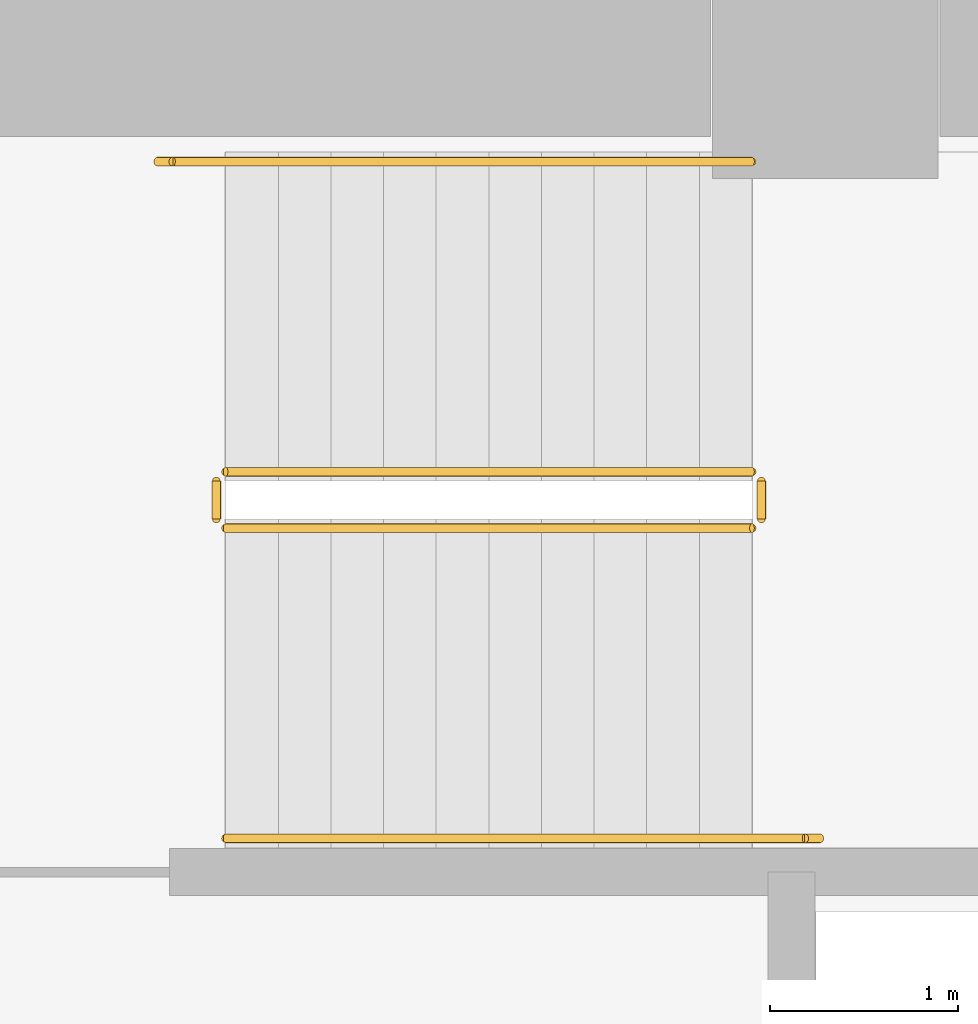
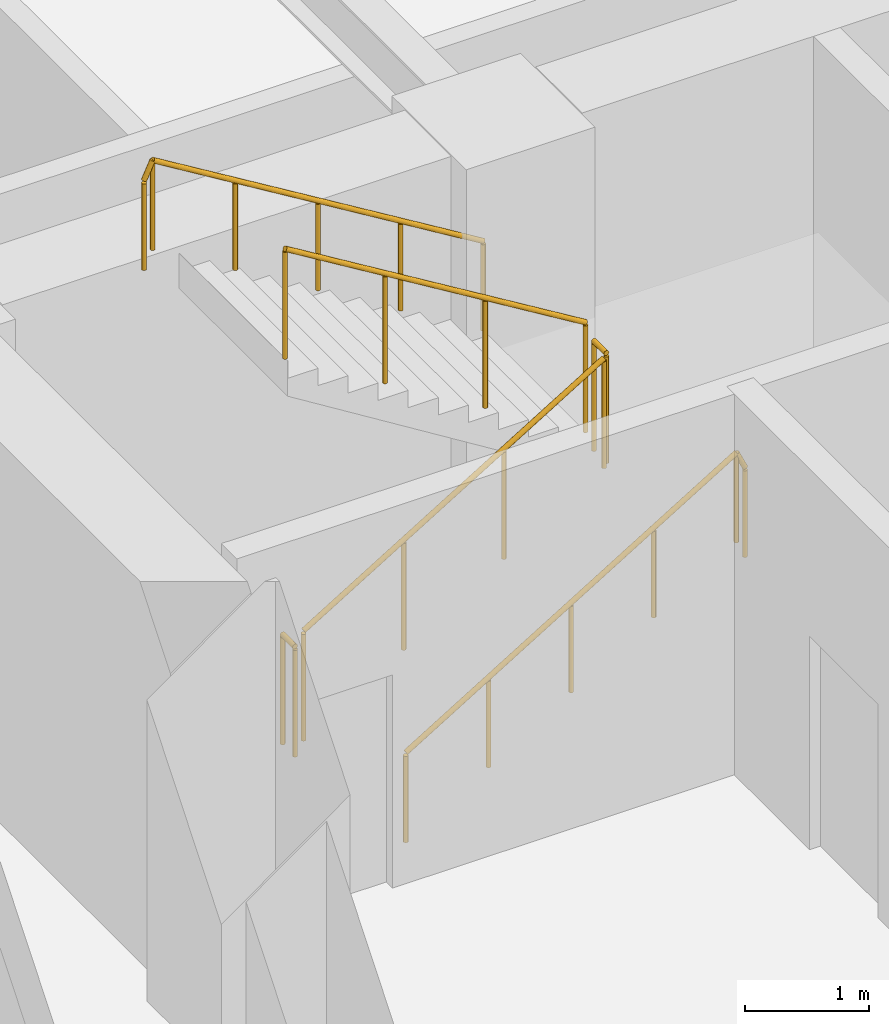
# One storey, part 26 of 27: 6 railings.
"""IFC4 building model written with IfcOpenShell, lengths in metres."""

from ifc_helpers import new_model, si_unit, direction, frame, origin, origin_2d, place, context, subcontext, project, spatial, circle, extrude, material, type_object, element, save


model = new_model("IFC4")

# Units and contexts
model_context = context("Model", 3, precision=1e-05, world=origin(), true_north=direction((0.0, 1.0)))
body_context = subcontext(model_context, "Body", "Model", "MODEL_VIEW")
ifc_project = project(units=[si_unit("LENGTHUNIT", "METRE"), si_unit("AREAUNIT", "SQUARE_METRE"), si_unit("VOLUMEUNIT", "CUBIC_METRE"), si_unit("PLANEANGLEUNIT", "RADIAN"), si_unit("MASSUNIT", "GRAM", prefix="KILO")], contexts=[model_context])

# Site, building, storey
site_placement = place(None, origin())
site = spatial("IfcSite", under=ifc_project, at=site_placement, CompositionType="ELEMENT")
building_placement = place(site_placement, origin())
building = spatial("IfcBuilding", under=site, at=building_placement, Name="Surkhivell Harbour Commons", CompositionType="ELEMENT")
storey_placement = place(building_placement, frame((0.0, 0.0, 22.5)))
storey = spatial("IfcBuildingStorey", under=building, at=storey_placement, Name="L05", CompositionType="ELEMENT", Elevation=22.5)

# Railings
ifc_material_1 = material(Name="Galvanised and painted steel S355 guard rail", Category="steel")
railing_type_1 = type_object("IfcRailingType", Name="RAL-ST-GRD1100", PredefinedType="GUARDRAIL", material=ifc_material_1)
railing_1_placement = place(storey_placement, frame((-8.590087890625, 8.340087890625, 0.17041015625)))
element("IfcRailing", 1, at=railing_1_placement, inside=storey, type_object=railing_type_1, Name="L05 ST1 stair guard 1", PredefinedType="GUARDRAIL", context=body_context, shape_type="SweptSolid", body=[
    extrude(circle(Radius=0.02392578125, at=origin_2d()), frame((0.0, 0.0, 1.076171875), z_axis=(0.854169791009, 0.0, 0.51999420009), x_axis=(0.0, 1.0, 0.0)), (0.0, 0.0, 1.0), 3.278076171875),
    extrude(circle(Radius=0.02099609375, at=origin_2d()), origin(), (0.0, 0.0, 1.0), 1.052001953125),
    extrude(circle(Radius=0.02099609375, at=origin_2d()), frame((0.933349609375, 0.0, 0.568115234375)), (0.0, 0.0, 1.0), 1.052001953125),
    extrude(circle(Radius=0.02099609375, at=origin_2d()), frame((1.86669921875, 0.0, 1.136474609375)), (0.0, 0.0, 1.0), 1.052001953125),
    extrude(circle(Radius=0.02099609375, at=origin_2d()), frame((2.800048828125, 0.0, 1.70458984375)), (0.0, 0.0, 1.0), 1.052001953125),
])
railing_2_placement = place(storey_placement, frame((-5.739990234375, 8.389892578125, 1.875)))
element("IfcRailing", 2, at=railing_2_placement, inside=storey, type_object=railing_type_1, Name="L05 ST1 stair guard 2", PredefinedType="GUARDRAIL", context=body_context, shape_type="SweptSolid", body=[
    extrude(circle(Radius=0.02392578125, at=origin_2d()), frame((0.0, 0.0, 1.076171875), z_axis=(0.0, 1.0, 0.0), x_axis=(-1.0, 0.0, 0.0)), (0.0, 0.0, 1.0), 0.2001953125),
    extrude(circle(Radius=0.02099609375, at=origin_2d()), origin(), (0.0, 0.0, 1.0), 1.052001953125),
    extrude(circle(Radius=0.02099609375, at=origin_2d()), frame((0.0, 0.2001953125, 0.0)), (0.0, 0.0, 1.0), 1.052001953125),
])
railing_3_placement = place(storey_placement, frame((-5.7900390625, 8.639892578125, 2.04541015625)))
element("IfcRailing", 3, at=railing_3_placement, inside=storey, type_object=railing_type_1, Name="L05 ST1 stair guard 3", PredefinedType="GUARDRAIL", context=body_context, shape_type="SweptSolid", body=[
    extrude(circle(Radius=0.02392578125, at=origin_2d()), frame((0.0, 0.0, 1.076171875), z_axis=(-0.854169791009, 0.0, 0.51999420009), x_axis=(0.0, -1.0, 0.0)), (0.0, 0.0, 1.0), 3.278076171875),
    extrude(circle(Radius=0.02099609375, at=origin_2d()), origin(), (0.0, 0.0, 1.0), 1.052001953125),
    extrude(circle(Radius=0.02099609375, at=origin_2d()), frame((-0.933349609375, 0.0, 0.568115234375)), (0.0, 0.0, 1.0), 1.052001953125),
    extrude(circle(Radius=0.02099609375, at=origin_2d()), frame((-1.86669921875, 0.0, 1.136474609375)), (0.0, 0.0, 1.0), 1.052001953125),
    extrude(circle(Radius=0.02099609375, at=origin_2d()), frame((-2.800048828125, 0.0, 1.70458984375)), (0.0, 0.0, 1.0), 1.052001953125),
])
railing_4_placement = place(storey_placement, frame((-8.639892578125, 8.389892578125, 0.0)))
element("IfcRailing", 4, at=railing_4_placement, inside=storey, type_object=railing_type_1, Name="L05 ST1 stair guard 4", PredefinedType="GUARDRAIL", context=body_context, shape_type="SweptSolid", body=[
    extrude(circle(Radius=0.02392578125, at=origin_2d()), frame((0.0, 0.0, 1.076171875), z_axis=(0.0, 1.0, 0.0), x_axis=(-1.0, 0.0, 0.0)), (0.0, 0.0, 1.0), 0.2001953125),
    extrude(circle(Radius=0.02099609375, at=origin_2d()), origin(), (0.0, 0.0, 1.0), 1.052001953125),
    extrude(circle(Radius=0.02099609375, at=origin_2d()), frame((0.0, 0.2001953125, 0.0)), (0.0, 0.0, 1.0), 1.052001953125),
])
ifc_material_2 = material(Name="Brushed stainless steel S355 handrail", Category="steel")
railing_type_2 = type_object("IfcRailingType", Name="RAL-ST-HND900", PredefinedType="HANDRAIL", material=ifc_material_2)
railing_5_placement = place(storey_placement, frame((-8.590087890625, 6.68994140625, 0.17041015625)))
element("IfcRailing", 5, at=railing_5_placement, inside=storey, type_object=railing_type_2, Name="L05 ST1 stair handrail 1", PredefinedType="HANDRAIL", context=body_context, shape_type="SweptSolid", body=[
    extrude(circle(Radius=0.02392578125, at=origin_2d()), frame((0.0, 0.0, 0.8759765625), z_axis=(0.854177636135, 0.0, 0.519981313056), x_axis=(0.0, 1.0, 0.0)), (0.0, 0.0, 1.0), 3.60595703125),
    extrude(circle(Radius=0.02392578125, at=origin_2d()), frame((3.080078125, 0.0, 2.7509765625), z_axis=(0.425297416671, 0.0, -0.905053648892), x_axis=(0.0, 1.0, 0.0)), (0.0, 0.0, 1.0), 0.188232421875),
    extrude(circle(Radius=0.02099609375, at=origin_2d()), origin(), (0.0, 0.0, 1.0), 0.851806640625),
    extrude(circle(Radius=0.02099609375, at=origin_2d()), frame((0.77001953125, 0.0, 0.46875)), (0.0, 0.0, 1.0), 0.851806640625),
    extrude(circle(Radius=0.02099609375, at=origin_2d()), frame((1.5400390625, 0.0, 0.9375)), (0.0, 0.0, 1.0), 0.851806640625),
    extrude(circle(Radius=0.02099609375, at=origin_2d()), frame((2.31005859375, 0.0, 1.40625)), (0.0, 0.0, 1.0), 0.851806640625),
    extrude(circle(Radius=0.02099609375, at=origin_2d()), frame((3.080078125, 0.0, 1.875)), (0.0, 0.0, 1.0), 0.851806640625),
    extrude(circle(Radius=0.02099609375, at=origin_2d()), frame((3.16015625, 0.0, 1.70458984375)), (0.0, 0.0, 1.0), 0.851806640625),
])
railing_6_placement = place(storey_placement, frame((-5.7900390625, 10.2900390625, 2.04541015625)))
element("IfcRailing", 6, at=railing_6_placement, inside=storey, type_object=railing_type_2, Name="L05 ST1 stair handrail 2", PredefinedType="HANDRAIL", context=body_context, shape_type="SweptSolid", body=[
    extrude(circle(Radius=0.02392578125, at=origin_2d()), frame((0.0, 0.0, 0.8759765625), z_axis=(-0.854177636135, 0.0, 0.519981313056), x_axis=(0.0, -1.0, 0.0)), (0.0, 0.0, 1.0), 3.60595703125),
    extrude(circle(Radius=0.02392578125, at=origin_2d()), frame((-3.080078125, 0.0, 2.7509765625), z_axis=(-0.424234432967, 0.0, -0.905552398199), x_axis=(0.0, -1.0, 0.0)), (0.0, 0.0, 1.0), 0.188232421875),
    extrude(circle(Radius=0.02099609375, at=origin_2d()), origin(), (0.0, 0.0, 1.0), 0.851806640625),
    extrude(circle(Radius=0.02099609375, at=origin_2d()), frame((-0.77001953125, 0.0, 0.46875)), (0.0, 0.0, 1.0), 0.851806640625),
    extrude(circle(Radius=0.02099609375, at=origin_2d()), frame((-1.5400390625, 0.0, 0.9375)), (0.0, 0.0, 1.0), 0.851806640625),
    extrude(circle(Radius=0.02099609375, at=origin_2d()), frame((-2.31005859375, 0.0, 1.40625)), (0.0, 0.0, 1.0), 0.851806640625),
    extrude(circle(Radius=0.02099609375, at=origin_2d()), frame((-3.080078125, 0.0, 1.875)), (0.0, 0.0, 1.0), 0.851806640625),
    extrude(circle(Radius=0.02099609375, at=origin_2d()), frame((-3.159912109375, 0.0, 1.70458984375)), (0.0, 0.0, 1.0), 0.851806640625),
])

save(model, "model.ifc")
